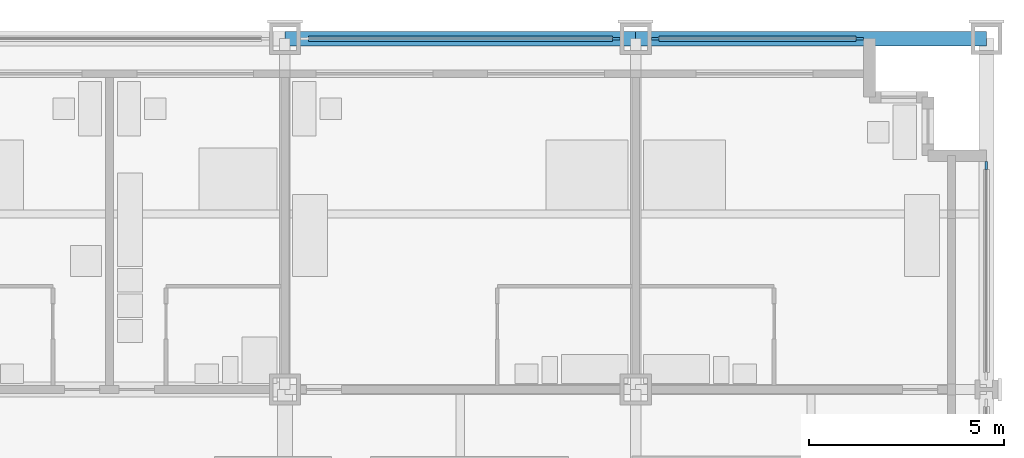
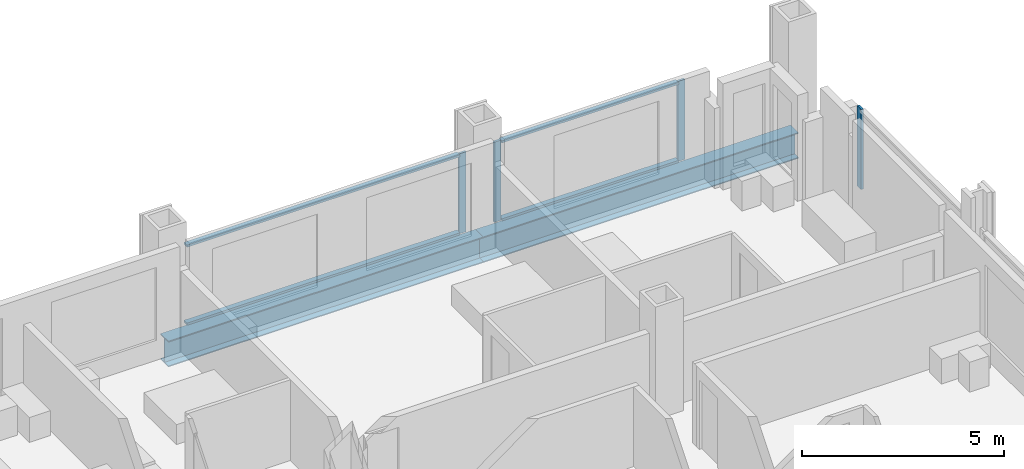
# One storey, part 8 of 18: 8 members, 2 beams, 3 elements without a shape of their own.
"""IFC4 building model written with IfcOpenShell, lengths in metres."""

from ifc_helpers import new_model, si_unit, direction, frame, origin, origin_2d, place, context, subcontext, project, spatial, rectangle, i_section, extrude, material, material_profile, profile_set, type_object, element, aggregate, save


model = new_model("IFC4")

# Units and contexts
model_context = context("Model", 3, precision=1e-05, world=origin(), true_north=direction((0.0, 1.0)))
body_context = subcontext(model_context, "Body", "Model", "MODEL_VIEW")
ifc_project = project(units=[si_unit("LENGTHUNIT", "METRE"), si_unit("AREAUNIT", "SQUARE_METRE"), si_unit("VOLUMEUNIT", "CUBIC_METRE"), si_unit("PLANEANGLEUNIT", "RADIAN"), si_unit("MASSUNIT", "GRAM", prefix="KILO")], contexts=[model_context])

# Site, building, storey
site_placement = place(None, origin())
site = spatial("IfcSite", under=ifc_project, at=site_placement, CompositionType="ELEMENT")
building_placement = place(site_placement, origin())
building = spatial("IfcBuilding", under=site, at=building_placement, Name="Loomwork Tower", CompositionType="ELEMENT")
storey_placement = place(building_placement, frame((0.0, 0.0, 31.39990234375)))
storey = spatial("IfcBuildingStorey", under=building, at=storey_placement, Name="L06", CompositionType="ELEMENT", Elevation=31.39990234375)

# Curtain wall, member
ifc_material_1 = material(Name="Aluminium curtain wall frame", Category="aluminium")
curtain_wall_type = type_object("IfcCurtainWallType", Name="Outer skin glazing hotel", PredefinedType="NOTDEFINED", material=ifc_material_1)
curtain_wall_1_placement = place(storey_placement, origin())
curtain_wall_1 = element("IfcCurtainWall", 1, at=curtain_wall_1_placement, inside=storey, type_object=curtain_wall_type, Name="Outer skin glazing hotel cw/N-36", PredefinedType="NOTDEFINED")
ifc_material_2 = material(Name="Aluminium curtain wall frame", Category="aluminium")
ifc_material_profile_1 = material_profile(ifc_material_2, rectangle(XDim=0.06494140625, YDim=0.199951171875, at=origin_2d()), Name="AL 65x200")
ifc_profile_set_1 = profile_set([ifc_material_profile_1], Name="Aluminium curtain wall frame")
member_type_1 = type_object("IfcMemberType", Name="Outer skin glazing hotel mullion", PredefinedType="MULLION", material=ifc_profile_set_1)
member_1_placement = place(storey_placement, frame((44.5, 36.0, 0.0), z_axis=(0.0, 0.0, 1.0), x_axis=(0.0, -1.0, 0.0)))
member_1 = element("IfcMember", 2, at=member_1_placement, type_object=member_type_1, Name="CW1 mullion 1", PredefinedType="MULLION", context=body_context, shape_type="SweptSolid", body=[
    extrude(rectangle(XDim=0.06494140625, YDim=0.199951171875, at=origin_2d()), origin(), (0.0, 0.0, 1.0), 2.42041015625),
])

# Curtain wall, members
curtain_wall_2_placement = place(storey_placement, origin())
curtain_wall_2 = element("IfcCurtainWall", 3, at=curtain_wall_2_placement, inside=storey, type_object=curtain_wall_type, Name="Outer skin glazing hotel cw/N-45", PredefinedType="NOTDEFINED")
member_2_placement = place(storey_placement, frame((50.75, 36.0, 0.0), z_axis=(0.0, 0.0, 1.0), x_axis=(0.0, -1.0, 0.0)))
member_2 = element("IfcMember", 4, at=member_2_placement, type_object=member_type_1, Name="CW1 mullion 1", PredefinedType="MULLION", context=body_context, shape_type="SweptSolid", body=[
    extrude(rectangle(XDim=0.06494140625, YDim=0.199951171875, at=origin_2d()), origin(), (0.0, 0.0, 1.0), 2.42041015625),
])
member_3_placement = place(storey_placement, frame((45.5, 36.0, 0.0), z_axis=(0.0, 0.0, 1.0), x_axis=(0.0, -1.0, 0.0)))
member_3 = element("IfcMember", 5, at=member_3_placement, type_object=member_type_1, Name="CW1 mullion 2", PredefinedType="MULLION", context=body_context, shape_type="SweptSolid", body=[
    extrude(rectangle(XDim=0.06494140625, YDim=0.199951171875, at=origin_2d()), origin(), (0.0, 0.0, 1.0), 2.42041015625),
])

# Curtain wall, member
curtain_wall_3_placement = place(storey_placement, origin())
curtain_wall_3 = element("IfcCurtainWall", 6, at=curtain_wall_3_placement, inside=storey, type_object=curtain_wall_type, Name="Outer skin glazing hotel cw/E-27", PredefinedType="NOTDEFINED")
member_4_placement = place(storey_placement, frame((54.0, 32.75, 0.0), z_axis=(0.0, 0.0, 1.0), x_axis=(-1.0, 0.0, 0.0)))
member_4 = element("IfcMember", 7, at=member_4_placement, type_object=member_type_1, Name="CW1 mullion 2", PredefinedType="MULLION", context=body_context, shape_type="SweptSolid", body=[
    extrude(rectangle(XDim=0.06494140625, YDim=0.199951171875, at=origin_2d()), origin(), (0.0, 0.0, 1.0), 2.42041015625),
])
aggregate(curtain_wall_3, [member_4])

# Member
ifc_material_3 = material(Name="Aluminium curtain wall frame", Category="aluminium")
ifc_material_profile_2 = material_profile(ifc_material_3, rectangle(XDim=0.14990234375, YDim=0.06494140625, at=origin_2d()), Name="AL 65x150")
ifc_profile_set_2 = profile_set([ifc_material_profile_2], Name="Aluminium curtain wall frame")
member_type_2 = type_object("IfcMemberType", Name="Outer skin glazing hotel transom", PredefinedType="USERDEFINED", material=ifc_profile_set_2)
member_5_placement = place(storey_placement, frame((44.39990234375, 36.0, 0.03271484375), z_axis=(-1.0, 0.0, 0.0), x_axis=(0.0, -1.0, 0.0)))
member_5 = element("IfcMember", 8, at=member_5_placement, type_object=member_type_2, Name="CW1 transom 1.1", ObjectType="TRANSOM", PredefinedType="USERDEFINED", context=body_context, shape_type="SweptSolid", body=[
    extrude(rectangle(XDim=0.14990234375, YDim=0.06494140625, at=origin_2d()), origin(), (0.0, 0.0, 1.0), 7.7998046875),
])

member_6_placement = place(storey_placement, frame((44.39990234375, 36.0, 2.3876953125), z_axis=(-1.0, 0.0, 0.0), x_axis=(0.0, -1.0, 0.0)))
member_6 = element("IfcMember", 9, at=member_6_placement, type_object=member_type_2, Name="CW1 transom 1.2", ObjectType="TRANSOM", PredefinedType="USERDEFINED", context=body_context, shape_type="SweptSolid", body=[
    extrude(rectangle(XDim=0.14990234375, YDim=0.06494140625, at=origin_2d()), origin(), (0.0, 0.0, 1.0), 7.7998046875),
])

aggregate(curtain_wall_1, [member_1, member_5, member_6])

member_7_placement = place(storey_placement, frame((50.64990234375, 36.0, 0.03271484375), z_axis=(-1.0, 0.0, 0.0), x_axis=(0.0, -1.0, 0.0)))
member_7 = element("IfcMember", 10, at=member_7_placement, type_object=member_type_2, Name="CW1 transom 1.1", ObjectType="TRANSOM", PredefinedType="USERDEFINED", context=body_context, shape_type="SweptSolid", body=[
    extrude(rectangle(XDim=0.14990234375, YDim=0.06494140625, at=origin_2d()), origin(), (0.0, 0.0, 1.0), 5.0498046875),
])

member_8_placement = place(storey_placement, frame((50.64990234375, 36.0, 2.3876953125), z_axis=(-1.0, 0.0, 0.0), x_axis=(0.0, -1.0, 0.0)))
member_8 = element("IfcMember", 11, at=member_8_placement, type_object=member_type_2, Name="CW1 transom 1.2", ObjectType="TRANSOM", PredefinedType="USERDEFINED", context=body_context, shape_type="SweptSolid", body=[
    extrude(rectangle(XDim=0.14990234375, YDim=0.06494140625, at=origin_2d()), origin(), (0.0, 0.0, 1.0), 5.0498046875),
])

aggregate(curtain_wall_2, [member_2, member_3, member_7, member_8])

# Beams
ifc_material_4 = material(Name="Steel ASTM A992", Category="steel")
ifc_material_profile_3 = material_profile(ifc_material_4, i_section(OverallWidth=0.381103515625, OverallDepth=0.77978515625, WebThickness=0.01806640625, FlangeThickness=0.0302734375, at=origin_2d()), Name="W30x191")
ifc_profile_set_3 = profile_set([ifc_material_profile_3], Name="Steel ASTM A992")
beam_type = type_object("IfcBeamType", Name="SPANDREL GIRDER W30x191", PredefinedType="SPANDREL", material=ifc_profile_set_3)
for number, where, z_axis, x_axis, name in (
    (12, (36.0, 36.0, -0.58984375), (1.0, 0.0, 0.0), (0.0, 1.0, 0.0), "Spandrel Girder H/6-H/7 L06"),
    (13, (45.0, 36.0, -0.58984375), (1.0, 0.0, 0.0), (0.0, 1.0, 0.0), "Spandrel Girder H/7-H/8 L06"),
):
    element("IfcBeam", number, at=place(storey_placement, frame(where, z_axis=z_axis, x_axis=x_axis)), inside=storey, type_object=beam_type, Name=name, PredefinedType="SPANDREL", context=body_context, shape_type="SweptSolid", body=[
        extrude(i_section(OverallWidth=0.381103515625, OverallDepth=0.77978515625, WebThickness=0.01806640625, FlangeThickness=0.0302734375, at=origin_2d()), origin(), (0.0, 0.0, 1.0), 9.0),
    ])

save(model, "model.ifc")
